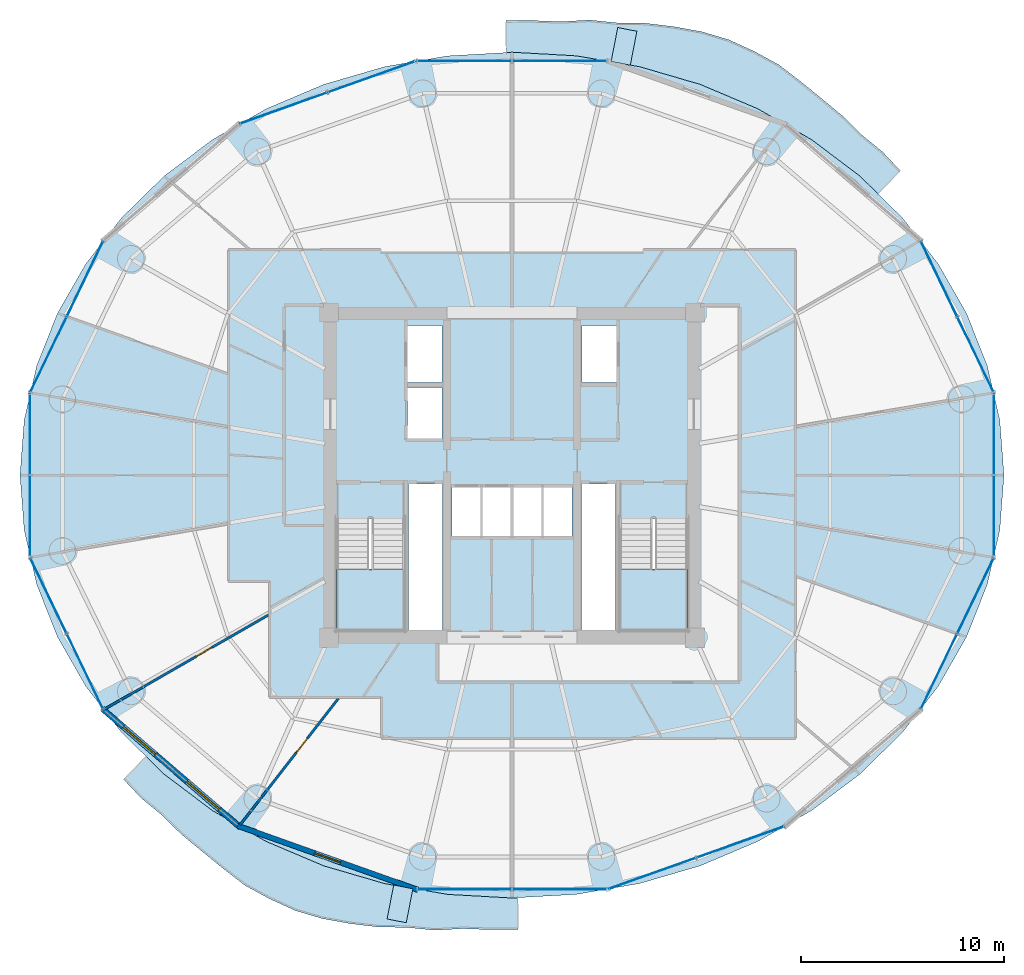
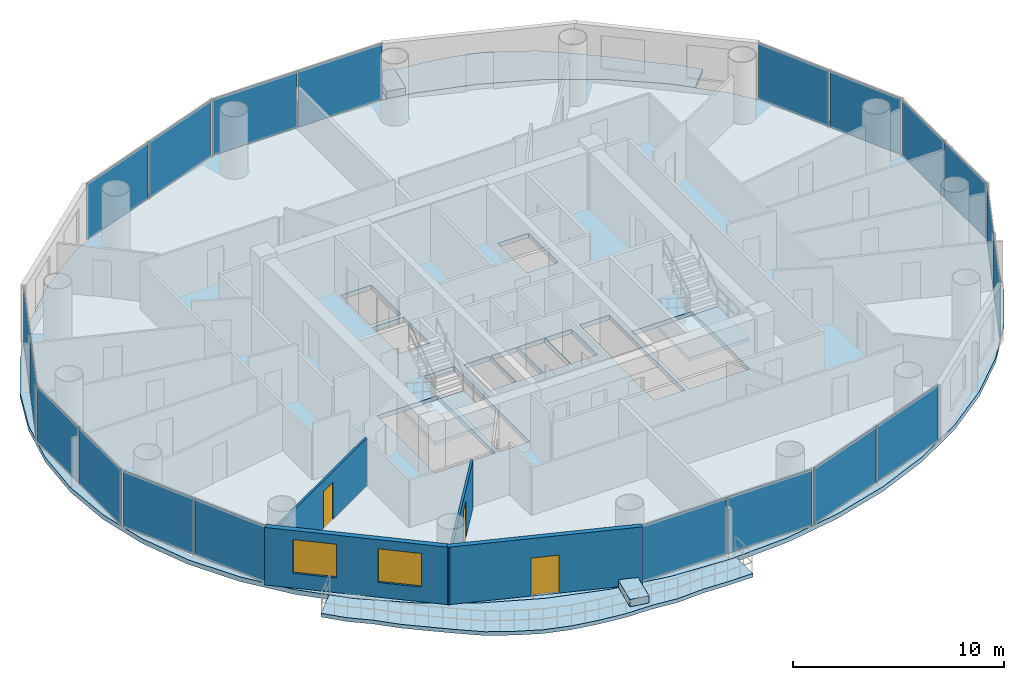
# One storey, part 19 of 26: 20 plates, 7 slabs, 4 walls, 3 doors, 2 windows, 5 openings, 12 elements without a shape of their own.
"""IFC4 building model written with IfcOpenShell, lengths in metres."""

from ifc_helpers import new_model, si_unit, direction, frame, frame_2d, origin, origin_2d, place, context, subcontext, project, spatial, polyline, rectangle, outline, extrude, source, transform, mapped, material, layer, layer_set, type_object, element, fill, aggregate, save


model = new_model("IFC4")

# Units and contexts
model_context = context("Model", 3, precision=1e-05, world=origin(), true_north=direction((-0.2419218956, 0.970295726276)))
body_context = subcontext(model_context, "Body", "Model", "MODEL_VIEW")
ifc_project = project(units=[si_unit("LENGTHUNIT", "METRE"), si_unit("AREAUNIT", "SQUARE_METRE"), si_unit("VOLUMEUNIT", "CUBIC_METRE"), si_unit("PLANEANGLEUNIT", "RADIAN"), si_unit("MASSUNIT", "GRAM", prefix="KILO")], contexts=[model_context])

# Site, building, storey
site_placement = place(None, origin())
site = spatial("IfcSite", under=ifc_project, at=site_placement, CompositionType="ELEMENT")
building_placement = place(site_placement, origin())
building = spatial("IfcBuilding", under=site, at=building_placement, Name="Cobrevalo Terracotta Tower", CompositionType="ELEMENT")
storey_placement = place(building_placement, frame((0.0, 0.0, 167.800048828125)))
storey = spatial("IfcBuildingStorey", under=building, at=storey_placement, Name="L44", CompositionType="ELEMENT", Elevation=167.800048828125)

# Stair, slab
ifc_material_1 = material(Name="Concrete C50", Category="concrete")
stair_type = type_object("IfcStairType", Name="Core protected escape dogleg stair 1600", PredefinedType="HALF_TURN_STAIR", material=ifc_material_1)
stair_1_placement = place(storey_placement, origin())
stair_1 = element("IfcStair", 1, at=stair_1_placement, inside=storey, type_object=stair_type, Name="L44 Protected exit stair ST-1", PredefinedType="HALF_TURN_STAIR")
ifc_layer_1 = layer(ifc_material_1, 0.199951171875)
ifc_layer_set_1 = layer_set([ifc_layer_1], Name="Concrete C50")
slab_type_1 = type_object("IfcSlabType", Name="Reinforced Concrete Stair Landing 200", PredefinedType="LANDING", material=ifc_layer_set_1)
slab_1_placement = place(storey_placement, frame((0.0, 0.0, 1.599853515625)))
slab_1 = element("IfcSlab", 2, at=slab_1_placement, type_object=slab_type_1, Name="ST-1 landing 1", PredefinedType="LANDING", context=body_context, shape_type="SweptSolid", body=[
    extrude(outline(polyline([(29.375, 22.179931640625), (29.375, 19.175048828125), (32.695068359375, 19.175048828125), (32.695068359375, 22.179931640625), (29.375, 22.179931640625)])), origin(), (0.0, 0.0, 1.0), 0.2001953125),
])
aggregate(stair_1, [slab_1])

stair_2_placement = place(storey_placement, origin())
stair_2 = element("IfcStair", 3, at=stair_2_placement, inside=storey, type_object=stair_type, Name="L44 Protected exit stair ST-2", PredefinedType="HALF_TURN_STAIR")
slab_2_placement = place(storey_placement, frame((0.0, 0.0, 1.599853515625)))
slab_2 = element("IfcSlab", 4, at=slab_2_placement, type_object=slab_type_1, Name="ST-2 landing 1", PredefinedType="LANDING", context=body_context, shape_type="SweptSolid", body=[
    extrude(outline(polyline([(43.304931640625, 22.179931640625), (43.304931640625, 19.175048828125), (46.625, 19.175048828125), (46.625, 22.179931640625), (43.304931640625, 22.179931640625)])), origin(), (0.0, 0.0, 1.0), 0.2001953125),
])
aggregate(stair_2, [slab_2])

# Slabs
ifc_material_2 = material(Name="Concrete C45", Category="concrete")
ifc_layer_2 = layer(ifc_material_2, 0.219970703125)
ifc_layer_set_2 = layer_set([ifc_layer_2], Name="Concrete C45")
slab_type_2 = type_object("IfcSlabType", Name="Spiralling cantilevered balcony lobe slab 220 mm", PredefinedType="FLOOR", material=ifc_layer_set_2)
slab_3_placement = place(storey_placement, frame((0.0, 0.0, -0.219970703125)))
element("IfcSlab", 5, at=slab_3_placement, inside=storey, type_object=slab_type_2, Name="L44 spiralling arc balcony slab lobe 1", PredefinedType="FLOOR", context=body_context, shape_type="SweptSolid", body=[
    extrude(outline(polyline([(57.103759765625, 41.764892578125), (56.227783203125, 42.69677734375), (55.222900390625, 43.51904296875), (54.284912109375, 44.4462890625), (53.26220703125, 45.293701171875), (52.209716796875, 46.14990234375), (51.123779296875, 46.986083984375), (49.912841796875, 47.64501953125), (48.656982421875, 48.2177734375), (47.328369140625, 48.613525390625), (45.95458984375, 48.861328125), (44.575439453125, 49.027099609375), (43.17431640625, 49.047119140625), (41.808837890625, 49.18603515625), (40.427490234375, 49.106689453125), (39.064208984375, 49.158203125), (37.70361328125, 49.154052734375), (37.719482421875, 47.586181640625), (38.0, 47.60205078125), (41.158935546875, 47.424072265625), (44.263916015625, 46.893310546875), (47.26171875, 46.0185546875), (50.10107421875, 44.81494140625), (52.733154296875, 43.30322265625), (55.11328125, 41.50927734375), (56.01123046875, 40.62939453125), (57.103759765625, 41.764892578125)])), origin(), (0.0, 0.0, 1.0), 0.219970703125),
])
slab_4_placement = place(storey_placement, frame((0.0, 0.0, -0.219970703125)))
element("IfcSlab", 6, at=slab_4_placement, inside=storey, type_object=slab_type_2, Name="L44 spiralling arc balcony slab lobe 2", PredefinedType="FLOOR", context=body_context, shape_type="SweptSolid", body=[
    extrude(outline(polyline([(18.896240234375, 11.835205078125), (19.772216796875, 10.903076171875), (20.777099609375, 10.0810546875), (21.715087890625, 9.15380859375), (22.73779296875, 8.306396484375), (23.790283203125, 7.4501953125), (24.876220703125, 6.614013671875), (26.087158203125, 5.954833984375), (27.343017578125, 5.382080078125), (28.671630859375, 4.986572265625), (30.04541015625, 4.73876953125), (31.424560546875, 4.572998046875), (32.82568359375, 4.552734375), (34.191162109375, 4.413818359375), (35.572509765625, 4.493408203125), (36.935791015625, 4.441650390625), (38.29638671875, 4.446044921875), (38.280517578125, 6.013916015625), (38.0, 5.998046875), (34.841064453125, 6.176025390625), (31.736083984375, 6.706787109375), (28.73828125, 7.58154296875), (25.89892578125, 8.784912109375), (23.266845703125, 10.296630859375), (20.88671875, 12.0908203125), (19.98876953125, 12.970703125), (18.896240234375, 11.835205078125)])), origin(), (0.0, 0.0, 1.0), 0.219970703125),
])
ifc_material_3 = material(Name="Precast concrete C45", Category="concrete")
ifc_layer_3 = layer(ifc_material_3, 0.419921875)
ifc_layer_set_3 = layer_set([ifc_layer_3], Name="Precast concrete C45")
slab_type_3 = type_object("IfcSlabType", Name="Structural tree planter trough base 420 mm", PredefinedType="USERDEFINED", material=ifc_layer_set_3)
slab_5_placement = place(storey_placement, origin())
element("IfcSlab", 7, at=slab_5_placement, inside=storey, type_object=slab_type_3, Name="L44 structural tree planter trough 1", ObjectType="PLANTER", PredefinedType="USERDEFINED", context=body_context, shape_type="SweptSolid", body=[
    extrude(outline(polyline([(43.818359375, 46.96337890625), (44.1435546875, 48.632080078125), (43.201416015625, 48.815673828125), (42.8759765625, 47.147216796875), (43.818359375, 46.96337890625)])), origin(), (0.0, 0.0, 1.0), 0.419921875),
])
slab_6_placement = place(storey_placement, origin())
element("IfcSlab", 8, at=slab_6_placement, inside=storey, type_object=slab_type_3, Name="L44 structural tree planter trough 2", ObjectType="PLANTER", PredefinedType="USERDEFINED", context=body_context, shape_type="SweptSolid", body=[
    extrude(outline(polyline([(32.181640625, 6.636474609375), (31.8564453125, 4.968017578125), (32.798583984375, 4.7841796875), (33.1240234375, 6.452880859375), (32.181640625, 6.636474609375)])), origin(), (0.0, 0.0, 1.0), 0.419921875),
])
ifc_layer_4 = layer(ifc_material_1, 0.27001953125)
ifc_layer_set_4 = layer_set([ifc_layer_4], Name="Concrete C50")
slab_type_4 = type_object("IfcSlabType", Name="Zone Z3 elliptical floor plate 270 mm", PredefinedType="FLOOR", material=ifc_layer_set_4)
slab_7_placement = place(storey_placement, frame((0.0, 0.0, -0.27001953125)))
element("IfcSlab", 9, at=slab_7_placement, inside=storey, type_object=slab_type_4, Name="L44 indoor elliptical floor slab", PredefinedType="FLOOR", context=body_context, shape_type="SweptSolid", body=[
    extrude(outline(polyline([(61.992919921875, 24.0849609375), (61.37548828125, 21.41650390625), (60.35791015625, 18.840087890625), (58.957763671875, 16.39990234375), (57.19921875, 14.1376953125), (55.112060546875, 12.09228515625), (52.73193359375, 10.29833984375), (50.10009765625, 8.78662109375), (47.260986328125, 7.583251953125), (44.263427734375, 6.708740234375), (41.15869140625, 6.177978515625), (38.0, 6.0), (34.84130859375, 6.177978515625), (31.736572265625, 6.708740234375), (28.739013671875, 7.583251953125), (25.89990234375, 8.78662109375), (23.26806640625, 10.29833984375), (20.887939453125, 12.09228515625), (18.80078125, 14.1376953125), (17.042236328125, 16.39990234375), (15.64208984375, 18.840087890625), (14.62451171875, 21.41650390625), (14.007080078125, 24.0849609375), (13.800048828125, 26.800048828125), (14.007080078125, 29.514892578125), (14.62451171875, 32.183349609375), (15.64208984375, 34.759765625), (17.042236328125, 37.199951171875), (18.80078125, 39.462158203125), (20.887939453125, 41.5078125), (23.26806640625, 43.3017578125), (25.89990234375, 44.813232421875), (28.739013671875, 46.0166015625), (31.736572265625, 46.891357421875), (34.84130859375, 47.422119140625), (38.0, 47.60009765625), (41.15869140625, 47.422119140625), (44.263427734375, 46.891357421875), (47.260986328125, 46.0166015625), (50.10009765625, 44.813232421875), (52.73193359375, 43.3017578125), (55.112060546875, 41.5078125), (57.19921875, 39.462158203125), (58.957763671875, 37.199951171875), (60.35791015625, 34.759765625), (61.37548828125, 32.183349609375), (61.992919921875, 29.514892578125), (62.199951171875, 26.800048828125), (61.992919921875, 24.0849609375)]), holes=[polyline([(32.695068359375, 19.175048828125), (32.695068359375, 24.659912109375), (29.375, 24.659912109375), (29.375, 19.175048828125), (32.695068359375, 19.175048828125)]), polyline([(34.574951171875, 26.360107421875), (32.919921875, 26.360107421875), (32.919921875, 19.175048828125), (34.574951171875, 19.175048828125), (34.574951171875, 26.360107421875)]), polyline([(36.47998046875, 26.25), (35.050048828125, 26.25), (35.050048828125, 23.800048828125), (36.47998046875, 23.800048828125), (36.47998046875, 26.25)]), polyline([(37.9599609375, 23.800048828125), (37.9599609375, 26.25), (36.530029296875, 26.25), (36.530029296875, 23.800048828125), (37.9599609375, 23.800048828125)]), polyline([(34.550048828125, 28.60009765625), (34.550048828125, 31.10009765625), (32.85009765625, 31.10009765625), (32.85009765625, 28.60009765625), (34.550048828125, 28.60009765625)]), polyline([(34.550048828125, 34.14990234375), (32.85009765625, 34.14990234375), (32.85009765625, 31.35009765625), (34.550048828125, 31.35009765625), (34.550048828125, 34.14990234375)]), polyline([(43.304931640625, 19.175048828125), (46.625, 19.175048828125), (46.625, 24.659912109375), (43.304931640625, 24.659912109375), (43.304931640625, 19.175048828125)]), polyline([(43.080078125, 19.175048828125), (43.080078125, 26.360107421875), (41.425048828125, 26.360107421875), (41.425048828125, 19.175048828125), (43.080078125, 19.175048828125)]), polyline([(39.469970703125, 26.25), (38.0400390625, 26.25), (38.0400390625, 23.800048828125), (39.469970703125, 23.800048828125), (39.469970703125, 26.25)]), polyline([(40.949951171875, 23.800048828125), (40.949951171875, 26.25), (39.52001953125, 26.25), (39.52001953125, 23.800048828125), (40.949951171875, 23.800048828125)]), polyline([(43.14990234375, 31.35009765625), (43.14990234375, 34.14990234375), (41.449951171875, 34.14990234375), (41.449951171875, 31.35009765625), (43.14990234375, 31.35009765625)])]), origin(), (0.0, 0.0, 1.0), 0.27001953125),
])

# Curtain wall, plates
ifc_material_4 = material(Name="Anodized aluminium", Category="aluminium")
curtain_wall_type = type_object("IfcCurtainWallType", Name="Mid-tower high-wind unitised curtain wall CW-U2", PredefinedType="NOTDEFINED", material=ifc_material_4)
curtain_wall_1_placement = place(storey_placement, origin())
curtain_wall_1 = element("IfcCurtainWall", 10, at=curtain_wall_1_placement, inside=storey, type_object=curtain_wall_type, Name="L44 curtain wall CW-L44-S04", PredefinedType="NOTDEFINED")
ifc_material_5 = material(Name="Solar-control low-E double glazing", Category="glass")
ifc_layer_5 = layer(ifc_material_5, 0.028076171875)
ifc_layer_set_5 = layer_set([ifc_layer_5], Name="Solar-control low-E double glazing")
plate_type = type_object("IfcPlateType", Name="Tower solar-control low-E vision glass panel 28 mm", PredefinedType="CURTAIN_PANEL", material=ifc_layer_set_5)
shared_shape_1 = source(origin(), body_context, "Body", "SweptSolid", [
    extrude(rectangle(XDim=4.59521484375, YDim=0.035888671875, at=origin_2d()), origin(), (0.0, 0.0, 1.0), 3.25),
])
plate_1_placement = place(storey_placement, frame((40.337646484375, 47.1708984375, 0.0400390625), z_axis=(0.0, 0.0, 1.0), x_axis=(-1.0, 0.0, 0.0)))
plate_1 = element("IfcPlate", 11, at=plate_1_placement, type_object=plate_type, Name="CW-L44-S04 glazing panel B01", PredefinedType="CURTAIN_PANEL", context=body_context, shape_type="MappedRepresentation", body=[
    mapped(shared_shape_1, transform((0.0, 0.0, 0.0), scale=1.0)),
])
plate_2_placement = place(storey_placement, frame((35.662353515625, 47.1708984375, 0.0400390625), z_axis=(0.0, 0.0, 1.0), x_axis=(-1.0, 0.0, 0.0)))
plate_2 = element("IfcPlate", 12, at=plate_2_placement, type_object=plate_type, Name="CW-L44-S04 glazing panel B02", PredefinedType="CURTAIN_PANEL", context=body_context, shape_type="MappedRepresentation", body=[
    mapped(shared_shape_1, transform((0.0, 0.0, 0.0), scale=1.0)),
])
aggregate(curtain_wall_1, [plate_1, plate_2])

curtain_wall_2_placement = place(storey_placement, origin())
curtain_wall_2 = element("IfcCurtainWall", 13, at=curtain_wall_2_placement, inside=storey, type_object=curtain_wall_type, Name="L44 curtain wall CW-L44-S12", PredefinedType="NOTDEFINED")
plate_3_placement = place(storey_placement, frame((35.662353515625, 6.42919921875, 0.0400390625), z_axis=(0.0, 0.0, 1.0), x_axis=(1.0, 0.0, 0.0)))
plate_3 = element("IfcPlate", 14, at=plate_3_placement, type_object=plate_type, Name="CW-L44-S12 glazing panel B01", PredefinedType="CURTAIN_PANEL", context=body_context, shape_type="MappedRepresentation", body=[
    mapped(shared_shape_1, transform((0.0, 0.0, 0.0), scale=1.0)),
])
plate_4_placement = place(storey_placement, frame((40.337646484375, 6.42919921875, 0.0400390625), z_axis=(0.0, 0.0, 1.0), x_axis=(1.0, 0.0, 0.0)))
plate_4 = element("IfcPlate", 15, at=plate_4_placement, type_object=plate_type, Name="CW-L44-S12 glazing panel B02", PredefinedType="CURTAIN_PANEL", context=body_context, shape_type="MappedRepresentation", body=[
    mapped(shared_shape_1, transform((0.0, 0.0, 0.0), scale=1.0)),
])
aggregate(curtain_wall_2, [plate_3, plate_4])

curtain_wall_3_placement = place(storey_placement, origin())
curtain_wall_3 = element("IfcCurtainWall", 16, at=curtain_wall_3_placement, inside=storey, type_object=curtain_wall_type, Name="L44 curtain wall CW-L44-S01", PredefinedType="NOTDEFINED")
shared_shape_2 = source(origin(), body_context, "Body", "SweptSolid", [
    extrude(rectangle(XDim=4.035888671875, YDim=0.035888671875, at=origin_2d()), origin(), (0.0, 0.0, 1.0), 3.25),
])
plate_5_placement = place(storey_placement, frame((60.794677734375, 32.741943359375, 0.0400390625), z_axis=(0.0, 0.0, 1.0), x_axis=(-0.434209440271, 0.900811945957, 0.0)))
plate_5 = element("IfcPlate", 17, at=plate_5_placement, type_object=plate_type, Name="CW-L44-S01 glazing panel B01", PredefinedType="CURTAIN_PANEL", context=body_context, shape_type="MappedRepresentation", body=[
    mapped(shared_shape_2, transform((0.0, 0.0, 0.0), scale=1.0)),
])
plate_6_placement = place(storey_placement, frame((59.007568359375, 36.449462890625, 0.0400390625), z_axis=(0.0, 0.0, 1.0), x_axis=(-0.434209440271, 0.900811945957, 0.0)))
plate_6 = element("IfcPlate", 18, at=plate_6_placement, type_object=plate_type, Name="CW-L44-S01 glazing panel B02", PredefinedType="CURTAIN_PANEL", context=body_context, shape_type="MappedRepresentation", body=[
    mapped(shared_shape_2, transform((0.0, 0.0, 0.0), scale=1.0)),
])
aggregate(curtain_wall_3, [plate_5, plate_6])

curtain_wall_4_placement = place(storey_placement, origin())
curtain_wall_4 = element("IfcCurtainWall", 19, at=curtain_wall_4_placement, inside=storey, type_object=curtain_wall_type, Name="L44 curtain wall CW-L44-S07", PredefinedType="NOTDEFINED")
plate_7_placement = place(storey_placement, frame((16.992431640625, 36.449462890625, 0.0400390625), z_axis=(0.0, 0.0, 1.0), x_axis=(-0.434209440271, -0.900811945957, 0.0)))
plate_7 = element("IfcPlate", 20, at=plate_7_placement, type_object=plate_type, Name="CW-L44-S07 glazing panel B01", PredefinedType="CURTAIN_PANEL", context=body_context, shape_type="MappedRepresentation", body=[
    mapped(shared_shape_2, transform((0.0, 0.0, 0.0), scale=1.0)),
])
plate_8_placement = place(storey_placement, frame((15.205322265625, 32.741943359375, 0.0400390625), z_axis=(0.0, 0.0, 1.0), x_axis=(-0.434209440271, -0.900811945957, 0.0)))
plate_8 = element("IfcPlate", 21, at=plate_8_placement, type_object=plate_type, Name="CW-L44-S07 glazing panel B02", PredefinedType="CURTAIN_PANEL", context=body_context, shape_type="MappedRepresentation", body=[
    mapped(shared_shape_2, transform((0.0, 0.0, 0.0), scale=1.0)),
])
aggregate(curtain_wall_4, [plate_7, plate_8])

curtain_wall_5_placement = place(storey_placement, origin())
curtain_wall_5 = element("IfcCurtainWall", 22, at=curtain_wall_5_placement, inside=storey, type_object=curtain_wall_type, Name="L44 curtain wall CW-L44-S09", PredefinedType="NOTDEFINED")
plate_9_placement = place(storey_placement, frame((15.205322265625, 20.858154296875, 0.0400390625), z_axis=(0.0, 0.0, 1.0), x_axis=(0.434209440271, -0.900811945957, 0.0)))
plate_9 = element("IfcPlate", 23, at=plate_9_placement, type_object=plate_type, Name="CW-L44-S09 glazing panel B01", PredefinedType="CURTAIN_PANEL", context=body_context, shape_type="MappedRepresentation", body=[
    mapped(shared_shape_2, transform((0.0, 0.0, 0.0), scale=1.0)),
])
plate_10_placement = place(storey_placement, frame((16.992431640625, 17.150634765625, 0.0400390625), z_axis=(0.0, 0.0, 1.0), x_axis=(0.434209440271, -0.900811945957, 0.0)))
plate_10 = element("IfcPlate", 24, at=plate_10_placement, type_object=plate_type, Name="CW-L44-S09 glazing panel B02", PredefinedType="CURTAIN_PANEL", context=body_context, shape_type="MappedRepresentation", body=[
    mapped(shared_shape_2, transform((0.0, 0.0, 0.0), scale=1.0)),
])
aggregate(curtain_wall_5, [plate_9, plate_10])

curtain_wall_6_placement = place(storey_placement, origin())
curtain_wall_6 = element("IfcCurtainWall", 25, at=curtain_wall_6_placement, inside=storey, type_object=curtain_wall_type, Name="L44 curtain wall CW-L44-S15", PredefinedType="NOTDEFINED")
plate_11_placement = place(storey_placement, frame((59.007568359375, 17.150634765625, 0.0400390625), z_axis=(0.0, 0.0, 1.0), x_axis=(0.434209440271, 0.900811945957, 0.0)))
plate_11 = element("IfcPlate", 26, at=plate_11_placement, type_object=plate_type, Name="CW-L44-S15 glazing panel B01", PredefinedType="CURTAIN_PANEL", context=body_context, shape_type="MappedRepresentation", body=[
    mapped(shared_shape_2, transform((0.0, 0.0, 0.0), scale=1.0)),
])
plate_12_placement = place(storey_placement, frame((60.794677734375, 20.858154296875, 0.0400390625), z_axis=(0.0, 0.0, 1.0), x_axis=(0.434209440271, 0.900811945957, 0.0)))
plate_12 = element("IfcPlate", 27, at=plate_12_placement, type_object=plate_type, Name="CW-L44-S15 glazing panel B02", PredefinedType="CURTAIN_PANEL", context=body_context, shape_type="MappedRepresentation", body=[
    mapped(shared_shape_2, transform((0.0, 0.0, 0.0), scale=1.0)),
])
aggregate(curtain_wall_6, [plate_11, plate_12])

curtain_wall_7_placement = place(storey_placement, origin())
curtain_wall_7 = element("IfcCurtainWall", 28, at=curtain_wall_7_placement, inside=storey, type_object=curtain_wall_type, Name="L44 curtain wall CW-L44-S08", PredefinedType="NOTDEFINED")
shared_shape_3 = source(origin(), body_context, "Body", "SweptSolid", [
    extrude(rectangle(XDim=3.931884765625, YDim=0.035888671875, at=origin_2d()), origin(), (0.0, 0.0, 1.0), 3.25),
])
plate_13_placement = place(storey_placement, frame((14.29443359375, 28.805908203125, 0.0400390625), z_axis=(0.0, 0.0, 1.0), x_axis=(0.0, -1.0, 0.0)))
plate_13 = element("IfcPlate", 29, at=plate_13_placement, type_object=plate_type, Name="CW-L44-S08 glazing panel B01", PredefinedType="CURTAIN_PANEL", context=body_context, shape_type="MappedRepresentation", body=[
    mapped(shared_shape_3, transform((0.0, 0.0, 0.0), scale=1.0)),
])
plate_14_placement = place(storey_placement, frame((14.29443359375, 24.7939453125, 0.0400390625), z_axis=(0.0, 0.0, 1.0), x_axis=(0.0, -1.0, 0.0)))
plate_14 = element("IfcPlate", 30, at=plate_14_placement, type_object=plate_type, Name="CW-L44-S08 glazing panel B02", PredefinedType="CURTAIN_PANEL", context=body_context, shape_type="MappedRepresentation", body=[
    mapped(shared_shape_3, transform((0.0, 0.0, 0.0), scale=1.0)),
])
aggregate(curtain_wall_7, [plate_13, plate_14])

curtain_wall_8_placement = place(storey_placement, origin())
curtain_wall_8 = element("IfcCurtainWall", 31, at=curtain_wall_8_placement, inside=storey, type_object=curtain_wall_type, Name="L44 curtain wall CW-L44-S16", PredefinedType="NOTDEFINED")
plate_15_placement = place(storey_placement, frame((61.70556640625, 24.7939453125, 0.0400390625), z_axis=(0.0, 0.0, 1.0), x_axis=(0.0, 1.0, 0.0)))
plate_15 = element("IfcPlate", 32, at=plate_15_placement, type_object=plate_type, Name="CW-L44-S16 glazing panel B01", PredefinedType="CURTAIN_PANEL", context=body_context, shape_type="MappedRepresentation", body=[
    mapped(shared_shape_3, transform((0.0, 0.0, 0.0), scale=1.0)),
])
plate_16_placement = place(storey_placement, frame((61.70556640625, 28.805908203125, 0.0400390625), z_axis=(0.0, 0.0, 1.0), x_axis=(0.0, 1.0, 0.0)))
plate_16 = element("IfcPlate", 33, at=plate_16_placement, type_object=plate_type, Name="CW-L44-S16 glazing panel B02", PredefinedType="CURTAIN_PANEL", context=body_context, shape_type="MappedRepresentation", body=[
    mapped(shared_shape_3, transform((0.0, 0.0, 0.0), scale=1.0)),
])
aggregate(curtain_wall_8, [plate_15, plate_16])

curtain_wall_9_placement = place(storey_placement, origin())
curtain_wall_9 = element("IfcCurtainWall", 34, at=curtain_wall_9_placement, inside=storey, type_object=curtain_wall_type, Name="L44 curtain wall CW-L44-S05", PredefinedType="NOTDEFINED")
shared_shape_4 = source(origin(), body_context, "Body", "SweptSolid", [
    extrude(rectangle(XDim=4.504150390625, YDim=0.035888671875, at=origin_2d()), origin(), (0.0, 0.0, 1.0), 3.25),
])
plate_17_placement = place(storey_placement, frame((31.087646484375, 46.388916015625, 0.0400390625), z_axis=(0.0, 0.0, 1.0), x_axis=(-0.942098428897, -0.335336473217, 0.0)))
plate_17 = element("IfcPlate", 35, at=plate_17_placement, type_object=plate_type, Name="CW-L44-S05 glazing panel B01", PredefinedType="CURTAIN_PANEL", context=body_context, shape_type="MappedRepresentation", body=[
    mapped(shared_shape_4, transform((0.0, 0.0, 0.0), scale=1.0)),
])
plate_18_placement = place(storey_placement, frame((26.768798828125, 44.8515625, 0.0400390625), z_axis=(0.0, 0.0, 1.0), x_axis=(-0.942098428897, -0.335336473217, 0.0)))
plate_18 = element("IfcPlate", 36, at=plate_18_placement, type_object=plate_type, Name="CW-L44-S05 glazing panel B02", PredefinedType="CURTAIN_PANEL", context=body_context, shape_type="MappedRepresentation", body=[
    mapped(shared_shape_4, transform((0.0, 0.0, 0.0), scale=1.0)),
])
aggregate(curtain_wall_9, [plate_17, plate_18])

curtain_wall_10_placement = place(storey_placement, origin())
curtain_wall_10 = element("IfcCurtainWall", 37, at=curtain_wall_10_placement, inside=storey, type_object=curtain_wall_type, Name="L44 curtain wall CW-L44-S13", PredefinedType="NOTDEFINED")
plate_19_placement = place(storey_placement, frame((44.912353515625, 7.211181640625, 0.0400390625), z_axis=(0.0, 0.0, 1.0), x_axis=(0.942098428897, 0.335336473217, 0.0)))
plate_19 = element("IfcPlate", 38, at=plate_19_placement, type_object=plate_type, Name="CW-L44-S13 glazing panel B01", PredefinedType="CURTAIN_PANEL", context=body_context, shape_type="MappedRepresentation", body=[
    mapped(shared_shape_4, transform((0.0, 0.0, 0.0), scale=1.0)),
])
plate_20_placement = place(storey_placement, frame((49.231201171875, 8.748291015625, 0.0400390625), z_axis=(0.0, 0.0, 1.0), x_axis=(0.942098428897, 0.335336473217, 0.0)))
plate_20 = element("IfcPlate", 39, at=plate_20_placement, type_object=plate_type, Name="CW-L44-S13 glazing panel B02", PredefinedType="CURTAIN_PANEL", context=body_context, shape_type="MappedRepresentation", body=[
    mapped(shared_shape_4, transform((0.0, 0.0, 0.0), scale=1.0)),
])
aggregate(curtain_wall_10, [plate_19, plate_20])

# Wall, openings, windows
ifc_material_6 = material(Name="Autoclaved aerated concrete block", Category="concrete")
ifc_layer_6 = layer(ifc_material_6, 0.280029296875)
ifc_layer_set_6 = layer_set([ifc_layer_6], Name="Autoclaved aerated concrete block")
wall_type_1 = type_object("IfcWallType", Name="Insulated tower spandrel & pier wall 280 mm with terracotta rainscreen", PredefinedType="SOLIDWALL", material=ifc_layer_set_6)
wall_1_placement = place(storey_placement, frame((17.8427734375, 15.31298828125, 0.0), z_axis=(0.0, 0.0, 1.0), x_axis=(0.75843401647, -0.651749831348, 0.0)))
wall_1 = element("IfcWall", 40, at=wall_1_placement, inside=storey, type_object=wall_type_1, Name="L44 terracotta rainscreen pier wall S10", PredefinedType="SOLIDWALL", context=body_context, shape_type="SweptSolid", body=[
    extrude(rectangle(XDim=8.952392578125, YDim=0.280029296875, at=frame_2d((4.47607421875, 0.0))), origin(), (0.0, 0.0, 1.0), 3.329833984375),
])
opening_1_placement = place(wall_1_placement, frame((1.3671875, 0.0, 0.85009765625)))
opening_1 = element("IfcOpeningElement", 41, at=opening_1_placement, cuts=wall_1, Name="Opening WN-10", PredefinedType="OPENING", context=body_context, shape_type="SweptSolid", body=[
    extrude(rectangle(XDim=2.10009765625, YDim=1.949951171875, at=frame_2d((1.050048828125, 0.97509765625))), frame((0.0, 0.14990234375, 0.0), z_axis=(0.0, -1.0, 0.0), x_axis=(1.0, 0.0, 0.0)), (0.0, 0.0, 1.0), 0.300048828125),
])
opening_2_placement = place(wall_1_placement, frame((5.4853515625, 0.0, 0.85009765625)))
opening_2 = element("IfcOpeningElement", 42, at=opening_2_placement, cuts=wall_1, Name="Opening WN-10", PredefinedType="OPENING", context=body_context, shape_type="SweptSolid", body=[
    extrude(rectangle(XDim=2.10009765625, YDim=1.949951171875, at=frame_2d((1.050048828125, 0.97509765625))), frame((0.0, 0.14990234375, 0.0), z_axis=(0.0, -1.0, 0.0), x_axis=(1.0, 0.0, 0.0)), (0.0, 0.0, 1.0), 0.300048828125),
])
window_type = type_object("IfcWindowType", Name="Wide panoramic low-E aluminium window 2100x1950", PartitioningType="SINGLE_PANEL", PredefinedType="WINDOW", material=ifc_material_5)
shared_shape_5 = source(origin(), body_context, "Body", "SweptSolid", [
    extrude(rectangle(XDim=2.10009765625, YDim=1.949951171875, at=frame_2d((1.050048828125, 0.97509765625))), frame((0.0, 0.030029296875, 0.0), z_axis=(0.0, -1.0, 0.0), x_axis=(1.0, 0.0, 0.0)), (0.0, 0.0, 1.0), 0.06005859375),
])
window_1_placement = place(opening_1_placement, origin())
window_1 = element("IfcWindow", 43, at=window_1_placement, inside=storey, type_object=window_type, Name="L44 suite window S10A", OverallHeight=1.949951171875, OverallWidth=2.10009765625, PartitioningType="SINGLE_PANEL", PredefinedType="WINDOW", context=body_context, shape_type="MappedRepresentation", body=[
    mapped(shared_shape_5, transform((0.0, 0.0, 0.0), scale=1.0)),
])
fill(opening_1, window_1)
window_2_placement = place(opening_2_placement, origin())
window_2 = element("IfcWindow", 44, at=window_2_placement, inside=storey, type_object=window_type, Name="L44 suite window S10B", OverallHeight=1.949951171875, OverallWidth=2.10009765625, PartitioningType="SINGLE_PANEL", PredefinedType="WINDOW", context=body_context, shape_type="MappedRepresentation", body=[
    mapped(shared_shape_5, transform((0.0, 0.0, 0.0), scale=1.0)),
])
fill(opening_2, window_2)

# Wall, opening, door
ifc_layer_7 = layer(ifc_material_6, 0.260009765625)
ifc_layer_set_7 = layer_set([ifc_layer_7], Name="Autoclaved aerated concrete block")
wall_type_2 = type_object("IfcWallType", Name="Recessed balcony loggia insulated exterior wall 260 mm", PredefinedType="SOLIDWALL", material=ifc_layer_set_7)
wall_2_placement = place(storey_placement, frame((24.49658203125, 9.55712890625, 0.0), z_axis=(0.0, 0.0, 1.0), x_axis=(0.942103604331, -0.335321932934, 0.0)))
wall_2 = element("IfcWall", 45, at=wall_2_placement, inside=storey, type_object=wall_type_2, Name="L44 balcony loggia wall S11", PredefinedType="SOLIDWALL", context=body_context, shape_type="SweptSolid", body=[
    extrude(rectangle(XDim=9.408203125, YDim=0.260009765625, at=frame_2d((4.7041015625, 0.0))), origin(), (0.0, 0.0, 1.0), 3.329833984375),
])
opening_3_placement = place(wall_2_placement, frame((4.029052734375, 0.0, 0.0)))
opening_3 = element("IfcOpeningElement", 46, at=opening_3_placement, cuts=wall_2, Name="Opening ED-05", PredefinedType="OPENING", context=body_context, shape_type="SweptSolid", body=[
    extrude(rectangle(XDim=1.35009765625, YDim=2.199951171875, at=frame_2d((0.675048828125, 1.10009765625))), frame((0.0, 0.14013671875, 0.0), z_axis=(0.0, -1.0, 0.0), x_axis=(1.0, 0.0, 0.0)), (0.0, 0.0, 1.0), 0.280029296875),
])
ifc_material_7 = material(Name="Anodized aluminium and laminated glass", Category="aluminium")
door_type_1 = type_object("IfcDoorType", Name="Suite balcony acoustic glazed terrace door 1350x2200", OperationType="NOTDEFINED", PredefinedType="DOOR", material=ifc_material_7)
shared_shape_6 = source(origin(), body_context, "Body", "SweptSolid", [
    extrude(rectangle(XDim=1.35009765625, YDim=2.199951171875, at=frame_2d((0.675048828125, 1.10009765625))), frame((0.0, 0.02490234375, 0.0), z_axis=(0.0, -1.0, 0.0), x_axis=(1.0, 0.0, 0.0)), (0.0, 0.0, 1.0), 0.050048828125),
])
door_1_placement = place(opening_3_placement, frame((1.35009765625, 0.0, 0.0), z_axis=(0.0, 0.0, 1.0), x_axis=(-1.0, 0.0, 0.0)))
door_1 = element("IfcDoor", 47, at=door_1_placement, inside=storey, type_object=door_type_1, Name="L44 glazed balcony terrace door 2", OperationType="SINGLE_SWING_RIGHT", OverallHeight=2.199951171875, OverallWidth=1.35009765625, PredefinedType="DOOR", context=body_context, shape_type="MappedRepresentation", body=[
    mapped(shared_shape_6, transform((0.0, 0.0, 0.0), scale=1.0)),
])
fill(opening_3, door_1)

ifc_material_8 = material(Name="Gypsum board on steel stud", Category="steel")
ifc_layer_8 = layer(ifc_material_8, 0.1201171875)
ifc_layer_set_8 = layer_set([ifc_layer_8], Name="Gypsum board on steel stud")
wall_type_3 = type_object("IfcWallType", Name="Residential internal acoustic stud partition 120 mm", PredefinedType="PARTITIONING", material=ifc_layer_set_8)
wall_3_placement = place(storey_placement, frame((26.021240234375, 19.920654296875, 0.0), z_axis=(0.0, 0.0, 1.0), x_axis=(-0.867161148693, -0.498027652041, 0.0)))
wall_3 = element("IfcWall", 48, at=wall_3_placement, inside=storey, type_object=wall_type_3, Name="L44 interior partition IW-L44-U1-ORAD4", PredefinedType="PARTITIONING", context=body_context, shape_type="SweptSolid", body=[
    extrude(rectangle(XDim=9.279296875, YDim=0.1201171875, at=frame_2d((4.6396484375, 0.0))), origin(), (0.0, 0.0, 1.0), 2.77587890625),
])
opening_4_placement = place(wall_3_placement, frame((3.19189453125, 0.0, 0.0)))
opening_4 = element("IfcOpeningElement", 49, at=opening_4_placement, cuts=wall_3, Name="Opening ID-12", PredefinedType="OPENING", context=body_context, shape_type="SweptSolid", body=[
    extrude(rectangle(XDim=0.89990234375, YDim=2.14990234375, at=frame_2d((0.449951171875, 1.074951171875))), frame((0.0, 0.070068359375, 0.0), z_axis=(0.0, -1.0, 0.0), x_axis=(1.0, 0.0, 0.0)), (0.0, 0.0, 1.0), 0.14013671875),
])
ifc_material_9 = material(Name="Engineered timber", Category="wood")
door_type_2 = type_object("IfcDoorType", Name="Internal residence & suite timber door 900x2150", OperationType="NOTDEFINED", PredefinedType="DOOR", material=ifc_material_9)
shared_shape_7 = source(origin(), body_context, "Body", "SweptSolid", [
    extrude(rectangle(XDim=0.89990234375, YDim=2.14990234375, at=frame_2d((0.449951171875, 1.074951171875))), frame((0.0, 0.02490234375, 0.0), z_axis=(0.0, -1.0, 0.0), x_axis=(1.0, 0.0, 0.0)), (0.0, 0.0, 1.0), 0.050048828125),
])
door_2_placement = place(opening_4_placement, origin())
door_2 = element("IfcDoor", 50, at=door_2_placement, inside=storey, type_object=door_type_2, Name="Flat L44A Penthouse Family Lounge internal door", OperationType="SINGLE_SWING_LEFT", OverallHeight=2.14990234375, OverallWidth=0.89990234375, PredefinedType="DOOR", context=body_context, shape_type="MappedRepresentation", body=[
    mapped(shared_shape_7, transform((0.0, 0.0, 0.0), scale=1.0)),
])
fill(opening_4, door_2)

wall_4_placement = place(storey_placement, frame((29.46875, 15.826171875, 0.0), z_axis=(0.0, 0.0, 1.0), x_axis=(-0.61373942367, -0.789508657225, 0.0)))
wall_4 = element("IfcWall", 51, at=wall_4_placement, inside=storey, type_object=wall_type_3, Name="L44 interior partition IW-L44-U1-ORAD5", PredefinedType="PARTITIONING", context=body_context, shape_type="SweptSolid", body=[
    extrude(rectangle(XDim=7.897705078125, YDim=0.1201171875, at=frame_2d((3.94873046875, 0.0))), origin(), (0.0, 0.0, 1.0), 2.77587890625),
])
opening_5_placement = place(wall_4_placement, frame((2.50048828125, 0.0, 0.0)))
opening_5 = element("IfcOpeningElement", 52, at=opening_5_placement, cuts=wall_4, Name="Opening ID-12", PredefinedType="OPENING", context=body_context, shape_type="SweptSolid", body=[
    extrude(rectangle(XDim=0.89990234375, YDim=2.14990234375, at=frame_2d((0.449951171875, 1.074951171875))), frame((0.0, 0.070068359375, 0.0), z_axis=(0.0, -1.0, 0.0), x_axis=(1.0, 0.0, 0.0)), (0.0, 0.0, 1.0), 0.14013671875),
])
door_3_placement = place(opening_5_placement, origin())
door_3 = element("IfcDoor", 53, at=door_3_placement, inside=storey, type_object=door_type_2, Name="Flat L44A Private Cinema Room internal door", OperationType="SINGLE_SWING_RIGHT", OverallHeight=2.14990234375, OverallWidth=0.89990234375, PredefinedType="DOOR", context=body_context, shape_type="MappedRepresentation", body=[
    mapped(shared_shape_7, transform((0.0, 0.0, 0.0), scale=1.0)),
])
fill(opening_5, door_3)

save(model, "model.ifc")
